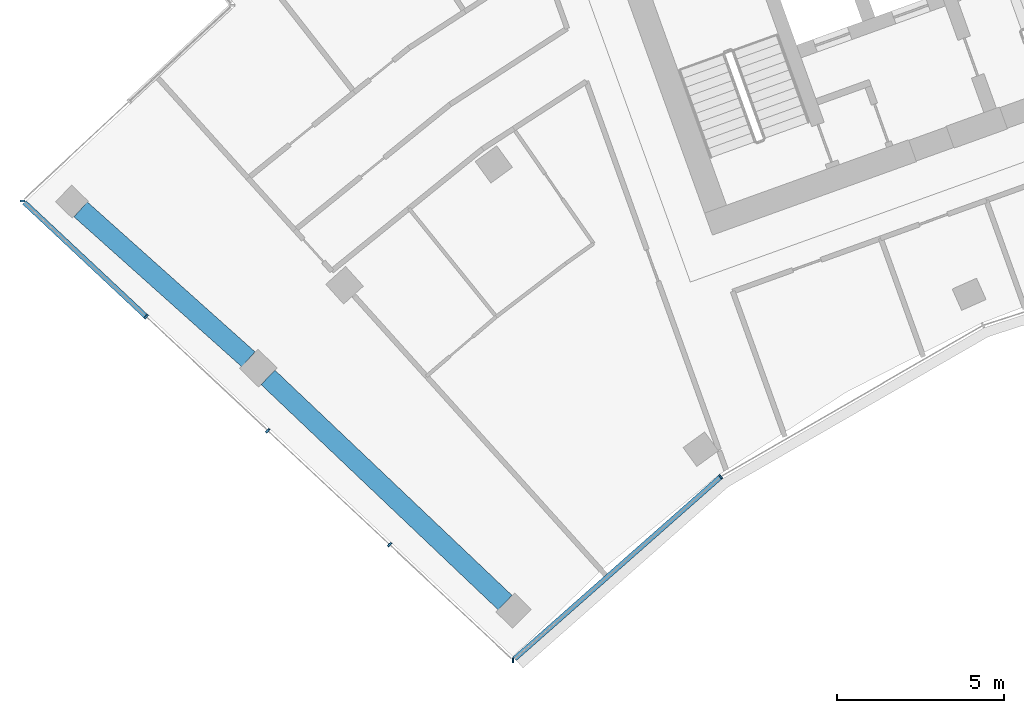
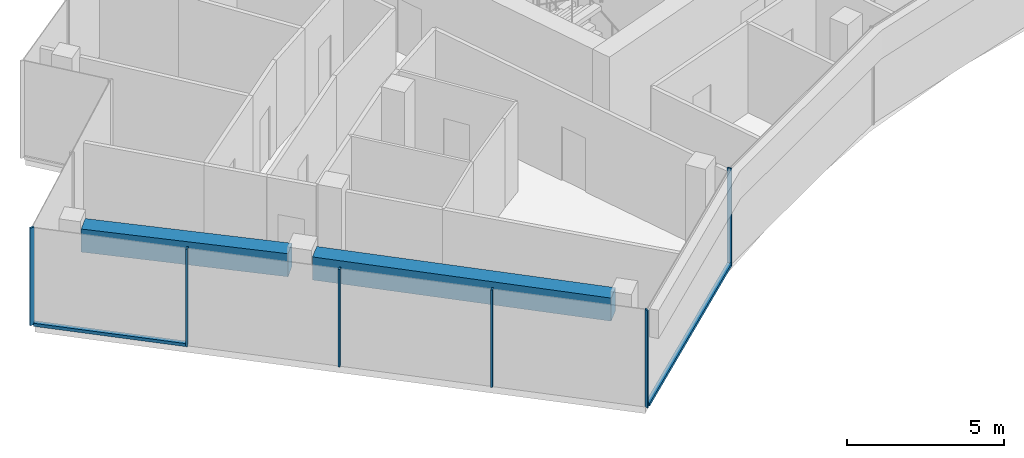
# One storey, part 2 of 18: 8 members, 2 beams, 2 elements without a shape of their own.
"""IFC4 building model written with IfcOpenShell, lengths in metres."""

from ifc_helpers import new_model, si_unit, direction, frame, origin, origin_2d, place, context, subcontext, project, spatial, rectangle, extrude, material, layer, layer_set, material_profile, profile_set, type_object, element, aggregate, save


model = new_model("IFC4")

# Units and contexts
model_context = context("Model", 3, precision=1e-05, world=origin(), true_north=direction((0.0, 1.0)))
body_context = subcontext(model_context, "Body", "Model", "MODEL_VIEW")
ifc_project = project(units=[si_unit("LENGTHUNIT", "METRE"), si_unit("AREAUNIT", "SQUARE_METRE"), si_unit("VOLUMEUNIT", "CUBIC_METRE"), si_unit("PLANEANGLEUNIT", "RADIAN"), si_unit("MASSUNIT", "GRAM", prefix="KILO")], contexts=[model_context])

# Site, building, storey
site_placement = place(None, origin())
site = spatial("IfcSite", under=ifc_project, at=site_placement, CompositionType="ELEMENT")
building_placement = place(site_placement, origin())
building = spatial("IfcBuilding", under=site, at=building_placement, Name="Stone Belt Terrace Tower", CompositionType="ELEMENT")
storey_placement = place(building_placement, frame((0.0, 0.0, 296.0)))
storey = spatial("IfcBuildingStorey", under=building, at=storey_placement, Name="L72", CompositionType="ELEMENT", Elevation=296.0)

# Curtain wall, members
ifc_material_1 = material(Name="Aluminium 6063-T6 anodised frame", Category="aluminium")
ifc_layer_1 = layer(ifc_material_1, 0.14990234375)
ifc_layer_set_1 = layer_set([ifc_layer_1], Name="CW-B unitised concave-face curtain wall")
curtain_wall_type_1 = type_object("IfcCurtainWallType", Name="CW-B unitised concave-face curtain wall", PredefinedType="NOTDEFINED", material=ifc_layer_set_1)
curtain_wall_1_placement = place(storey_placement, origin())
curtain_wall_1 = element("IfcCurtainWall", 1, at=curtain_wall_1_placement, inside=storey, type_object=curtain_wall_type_1, Name="CW-B concave face L72", PredefinedType="NOTDEFINED")
ifc_material_profile_1 = material_profile(ifc_material_1, rectangle(XDim=0.14990234375, YDim=0.050048828125, at=origin_2d()), Name="Aluminium 6063-T6 50x150")
ifc_profile_set_1 = profile_set([ifc_material_profile_1], Name="Aluminium 6063-T6 anodised frame")
member_type_1 = type_object("IfcMemberType", Name="CW-B mullion 50 x 150", PredefinedType="MULLION", material=ifc_profile_set_1)
member_1_placement = place(storey_placement, frame((-31.75244140625, 29.633056640625, 0.0), z_axis=(0.0, 0.0, 1.0), x_axis=(0.014681639593, 0.999892218921, 0.0)))
member_1 = element("IfcMember", 2, at=member_1_placement, type_object=member_type_1, Name="CW-B mullion 1", PredefinedType="MULLION", context=body_context, shape_type="SweptSolid", body=[
    extrude(rectangle(XDim=0.14990234375, YDim=0.050048828125, at=origin_2d()), origin(), (0.0, 0.0, 1.0), 3.800048828125),
])
member_2_placement = place(storey_placement, frame((-25.524658203125, 35.131103515625, 0.0), z_axis=(0.0, 0.0, 1.0), x_axis=(-0.583818854632, 0.811883947973, 0.0)))
member_2 = element("IfcMember", 3, at=member_2_placement, type_object=member_type_1, Name="CW-B mullion 2", PredefinedType="MULLION", context=body_context, shape_type="SweptSolid", body=[
    extrude(rectangle(XDim=0.14990234375, YDim=0.050048828125, at=origin_2d()), origin(), (0.0, 0.0, 1.0), 3.800048828125),
])
ifc_material_profile_2 = material_profile(ifc_material_1, rectangle(XDim=0.14990234375, YDim=0.1201171875, at=origin_2d()), Name="Aluminium 6063-T6 150x120")
ifc_profile_set_2 = profile_set([ifc_material_profile_2], Name="Aluminium 6063-T6 anodised frame")
member_type_2 = type_object("IfcMemberType", Name="CW-B transom 120 x 150", PredefinedType="USERDEFINED", material=ifc_profile_set_2)
member_3_placement = place(storey_placement, frame((-31.70068359375, 29.6787109375, 0.06005859375), z_axis=(0.749668527307, 0.661813492735, 0.0), x_axis=(-0.661813492735, 0.749668527307, 0.0)))
member_3 = element("IfcMember", 4, at=member_3_placement, type_object=member_type_2, Name="CW-B transom 1.1", ObjectType="TRANSOM", PredefinedType="USERDEFINED", context=body_context, shape_type="SweptSolid", body=[
    extrude(rectangle(XDim=0.14990234375, YDim=0.1201171875, at=origin_2d()), origin(), (0.0, 0.0, 1.0), 8.2060546875),
])
aggregate(curtain_wall_1, [member_1, member_2, member_3])

ifc_layer_2 = layer(ifc_material_1, 0.14990234375)
ifc_layer_set_2 = layer_set([ifc_layer_2], Name="CW-C stick curtain wall, horn ends and notches")
curtain_wall_type_2 = type_object("IfcCurtainWallType", Name="CW-C stick curtain wall, horn ends and notches", PredefinedType="NOTDEFINED", material=ifc_layer_set_2)
curtain_wall_2_placement = place(storey_placement, origin())
curtain_wall_2 = element("IfcCurtainWall", 5, at=curtain_wall_2_placement, inside=storey, type_object=curtain_wall_type_2, Name="CW-C end face L72", PredefinedType="NOTDEFINED")
ifc_material_profile_3 = material_profile(ifc_material_1, rectangle(XDim=0.14990234375, YDim=0.06005859375, at=origin_2d()), Name="Aluminium 6063-T6 60x150")
ifc_profile_set_3 = profile_set([ifc_material_profile_3], Name="Aluminium 6063-T6 anodised frame")
member_type_3 = type_object("IfcMemberType", Name="CW-C mullion 60 x 150", PredefinedType="MULLION", material=ifc_profile_set_3)
member_4_placement = place(storey_placement, frame((-46.458740234375, 43.405517578125, 0.0), z_axis=(0.0, 0.0, 1.0), x_axis=(0.999999447771, -0.00105093149, 0.0)))
member_4 = element("IfcMember", 6, at=member_4_placement, type_object=member_type_3, Name="CW-C mullion 1", PredefinedType="MULLION", context=body_context, shape_type="SweptSolid", body=[
    extrude(rectangle(XDim=0.14990234375, YDim=0.06005859375, at=origin_2d()), origin(), (0.0, 0.0, 1.0), 3.800048828125),
])
member_5_placement = place(storey_placement, frame((-42.750732421875, 39.932861328125, 0.0), z_axis=(0.0, 0.0, 1.0), x_axis=(0.683549434973, 0.729904219708, 0.0)))
member_5 = element("IfcMember", 7, at=member_5_placement, type_object=member_type_3, Name="CW-C mullion 2", PredefinedType="MULLION", context=body_context, shape_type="SweptSolid", body=[
    extrude(rectangle(XDim=0.14990234375, YDim=0.06005859375, at=origin_2d()), origin(), (0.0, 0.0, 1.0), 3.800048828125),
])
member_6_placement = place(storey_placement, frame((-39.10107421875, 36.51513671875, 0.0), z_axis=(0.0, 0.0, 1.0), x_axis=(0.683549434973, 0.729904219708, 0.0)))
member_6 = element("IfcMember", 8, at=member_6_placement, type_object=member_type_3, Name="CW-C mullion 3", PredefinedType="MULLION", context=body_context, shape_type="SweptSolid", body=[
    extrude(rectangle(XDim=0.14990234375, YDim=0.06005859375, at=origin_2d()), origin(), (0.0, 0.0, 1.0), 3.800048828125),
])
member_7_placement = place(storey_placement, frame((-35.45166015625, 33.097412109375, 0.0), z_axis=(0.0, 0.0, 1.0), x_axis=(0.683549434973, 0.729904219708, 0.0)))
member_7 = element("IfcMember", 9, at=member_7_placement, type_object=member_type_3, Name="CW-C mullion 4", PredefinedType="MULLION", context=body_context, shape_type="SweptSolid", body=[
    extrude(rectangle(XDim=0.14990234375, YDim=0.06005859375, at=origin_2d()), origin(), (0.0, 0.0, 1.0), 3.800048828125),
])
ifc_material_profile_4 = material_profile(ifc_material_1, rectangle(XDim=0.14990234375, YDim=0.1201171875, at=origin_2d()), Name="Aluminium 6063-T6 150x120")
ifc_profile_set_4 = profile_set([ifc_material_profile_4], Name="Aluminium 6063-T6 anodised frame")
member_type_4 = type_object("IfcMemberType", Name="CW-C transom 120 x 150", PredefinedType="USERDEFINED", material=ifc_profile_set_4)
member_8_placement = place(storey_placement, frame((-46.40380859375, 43.35400390625, 0.06005859375), z_axis=(0.729913558916, -0.683539462292, 0.0), x_axis=(0.683539462292, 0.729913558916, 0.0)))
member_8 = element("IfcMember", 10, at=member_8_placement, type_object=member_type_4, Name="CW-C transom 1.1", ObjectType="TRANSOM", PredefinedType="USERDEFINED", context=body_context, shape_type="SweptSolid", body=[
    extrude(rectangle(XDim=0.14990234375, YDim=0.1201171875, at=origin_2d()), origin(), (0.0, 0.0, 1.0), 4.97509765625),
])
aggregate(curtain_wall_2, [member_4, member_5, member_6, member_7, member_8])

# Beams
ifc_material_2 = material(Name="Concrete B60", Category="concrete")
ifc_material_profile_5 = material_profile(ifc_material_2, rectangle(XDim=0.60009765625, YDim=0.89990234375, at=origin_2d()), Name="RC 600x900")
ifc_profile_set_5 = profile_set([ifc_material_profile_5], Name="Concrete B60")
beam_type = type_object("IfcBeamType", Name="Edge beam RC 600x900 B60", PredefinedType="SPANDREL", material=ifc_profile_set_5)
beam_1_placement = place(storey_placement, frame((-31.98876953125, 31.35791015625, 3.030029296875), z_axis=(-0.72502367576, 0.688723942946, 0.0), x_axis=(-0.688723942946, -0.72502367576, 0.0)))
element("IfcBeam", 11, at=beam_1_placement, inside=storey, type_object=beam_type, Name="Edge beam L72 A P to Q", PredefinedType="SPANDREL", context=body_context, shape_type="SweptSolid", body=[
    extrude(rectangle(XDim=0.60009765625, YDim=0.89990234375, at=origin_2d()), origin(), (0.0, 0.0, 1.0), 9.80615234375),
])
beam_2_placement = place(storey_placement, frame((-39.68701171875, 38.65380859375, 3.030029296875), z_axis=(-0.745651125692, 0.666336550666, 0.0), x_axis=(-0.666336550666, -0.745651125692, 0.0)))
element("IfcBeam", 12, at=beam_2_placement, inside=storey, type_object=beam_type, Name="Edge beam L72 A Q to R", PredefinedType="SPANDREL", context=body_context, shape_type="SweptSolid", body=[
    extrude(rectangle(XDim=0.60009765625, YDim=0.89990234375, at=origin_2d()), origin(), (0.0, 0.0, 1.0), 6.744140625),
])

save(model, "model.ifc")
